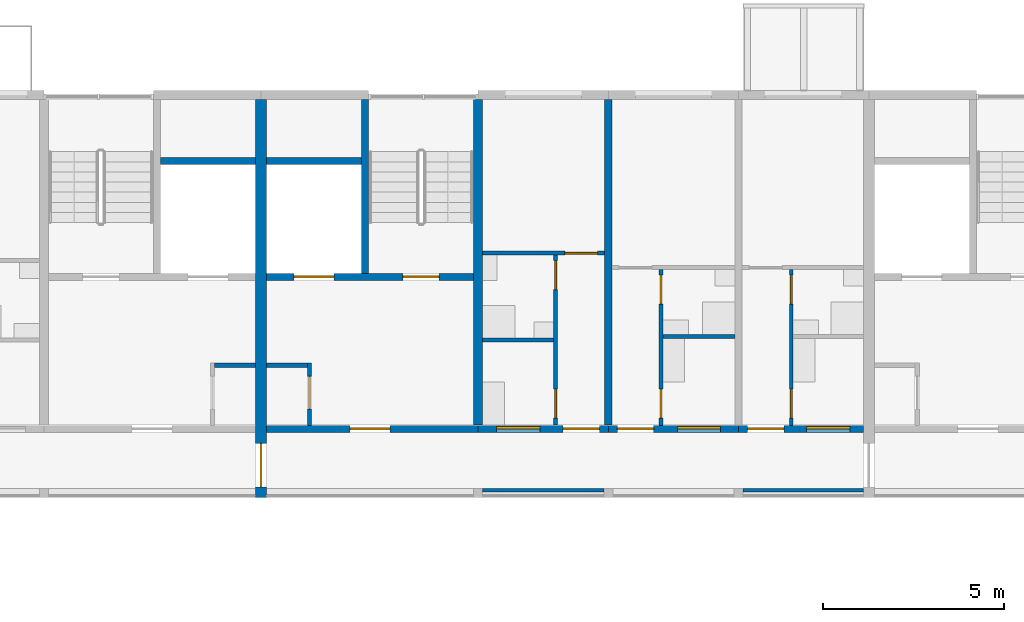
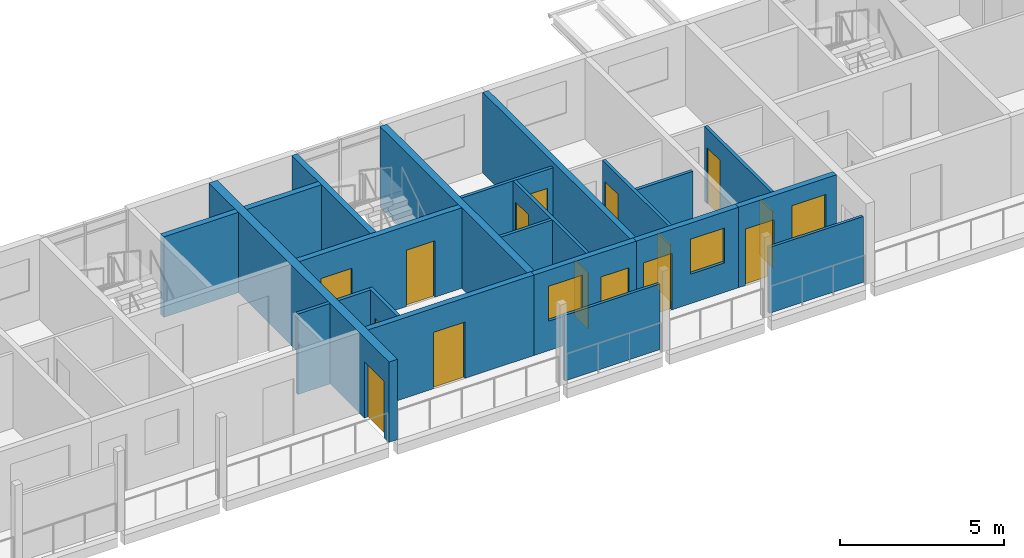
# One storey, part 36 of 100: 22 walls, 15 doors, 3 windows, 18 openings.
"""IFC4 building model written with IfcOpenShell, lengths in metres."""

from ifc_helpers import new_model, si_unit, direction, frame, frame_2d, origin, place, context, subcontext, project, spatial, rectangle, extrude, material, layer, layer_set, type_object, element, fill, save


model = new_model("IFC4")

# Units and contexts
model_context = context("Model", 3, precision=1e-05, world=origin(), true_north=direction((0.0, 1.0)))
body_context = subcontext(model_context, "Body", "Model", "MODEL_VIEW")
ifc_project = project(units=[si_unit("LENGTHUNIT", "METRE"), si_unit("AREAUNIT", "SQUARE_METRE"), si_unit("VOLUMEUNIT", "CUBIC_METRE"), si_unit("PLANEANGLEUNIT", "RADIAN"), si_unit("MASSUNIT", "GRAM", prefix="KILO")], contexts=[model_context])

# Site, building, storey
site_placement = place(None, origin())
site = spatial("IfcSite", under=ifc_project, at=site_placement, CompositionType="ELEMENT")
building_placement = place(site_placement, origin())
building = spatial("IfcBuilding", under=site, at=building_placement, Name="Ridgestep Commons", CompositionType="ELEMENT")
storey_placement = place(building_placement, frame((0.0, 0.0, 9.0)))
storey = spatial("IfcBuildingStorey", under=building, at=storey_placement, Name="L03", CompositionType="ELEMENT", Elevation=9.0)

# Wall
ifc_material_1 = material(Name="Concrete C30/37", Category="concrete")
ifc_layer_1 = layer(ifc_material_1, 0.25)
ifc_layer_set_1 = layer_set([ifc_layer_1], Name="Core cross wall 250")
wall_type_1 = type_object("IfcWallType", Name="Core cross wall 250", PredefinedType="SHEAR", material=ifc_layer_set_1)
wall_1_placement = place(storey_placement, frame((34.800048828125, 68.0, 0.0), z_axis=(0.0, 0.0, 1.0), x_axis=(0.0, 1.0, 0.0)))
element("IfcWall", 1, at=wall_1_placement, inside=storey, type_object=wall_type_1, Name="Cross wall B-03-0348", PredefinedType="SHEAR", context=body_context, shape_type="SweptSolid", body=[
    extrude(rectangle(XDim=9.0, YDim=0.25, at=frame_2d((4.5, 0.0))), origin(), (0.0, 0.0, 1.0), 3.0),
])

# Wall, opening, door
ifc_material_2 = material(Name="Concrete C30/37", Category="concrete")
ifc_layer_2 = layer(ifc_material_2, 0.199951171875)
ifc_layer_set_2 = layer_set([ifc_layer_2], Name="Core south wall 200")
wall_type_2 = type_object("IfcWallType", Name="Core south wall 200", PredefinedType="SHEAR", material=ifc_layer_set_2)
wall_2_placement = place(storey_placement, frame((28.949951171875, 67.89990234375, 0.0), z_axis=(0.0, 0.0, 1.0), x_axis=(1.0, 0.0, 0.0)))
wall_2 = element("IfcWall", 2, at=wall_2_placement, inside=storey, type_object=wall_type_2, Name="Core south wall B2C L03", PredefinedType="SHEAR", context=body_context, shape_type="SweptSolid", body=[
    extrude(rectangle(XDim=5.85009765625, YDim=0.199951171875, at=frame_2d((2.925048828125, 0.0))), origin(), (0.0, 0.0, 1.0), 3.0),
])
opening_1_placement = place(wall_2_placement, frame((2.3125, 0.0, 0.0)))
opening_1 = element("IfcOpeningElement", 3, at=opening_1_placement, cuts=wall_2, Name="Opening B2C/03/1", PredefinedType="OPENING", context=body_context, shape_type="SweptSolid", body=[
    extrude(rectangle(XDim=1.10009765625, YDim=2.10009765625, at=frame_2d((0.550048828125, 1.050048828125))), frame((0.0, 0.10986328125, 0.0), z_axis=(0.0, -1.0, 0.0), x_axis=(1.0, 0.0, 0.0)), (0.0, 0.0, 1.0), 0.219970703125),
])
ifc_material_3 = material(Name="Steel fire door", Category="steel")
door_type_1 = type_object("IfcDoorType", Name="Lobby door 1100 x 2100 FD60", OperationType="NOTDEFINED", PredefinedType="DOOR", material=ifc_material_3)
door_1_placement = place(opening_1_placement, origin())
door_1 = element("IfcDoor", 4, at=door_1_placement, inside=storey, type_object=door_type_1, Name="Lobby door B2C/03/1", OperationType="SINGLE_SWING_LEFT", OverallHeight=2.10009765625, OverallWidth=1.10009765625, PredefinedType="DOOR", context=body_context, shape_type="SweptSolid", body=[
    extrude(rectangle(XDim=1.10009765625, YDim=2.10009765625, at=frame_2d((0.550048828125, 1.050048828125))), frame((0.0, 0.02490234375, 0.0), z_axis=(0.0, -1.0, 0.0), x_axis=(1.0, 0.0, 0.0)), (0.0, 0.0, 1.0), 0.050048828125),
])
fill(opening_1, door_1)

# Wall
ifc_material_4 = material(Name="Concrete C30/37", Category="concrete")
ifc_layer_3 = layer(ifc_material_4, 0.1201171875)
ifc_layer_set_3 = layer_set([ifc_layer_3], Name="Core wall 120")
wall_type_3 = type_object("IfcWallType", Name="Core wall 120", PredefinedType="SHEAR", material=ifc_layer_set_3)
wall_3_placement = place(storey_placement, frame((27.52001953125, 69.659912109375, 0.0), z_axis=(0.0, 0.0, 1.0), x_axis=(1.0, 0.0, 0.0)))
element("IfcWall", 5, at=wall_3_placement, inside=storey, type_object=wall_type_3, Name="Core riser n wall B1C L03", PredefinedType="SHEAR", context=body_context, shape_type="SweptSolid", body=[
    extrude(rectangle(XDim=1.1298828125, YDim=0.1201171875, at=frame_2d((0.56494140625, 0.0))), origin(), (0.0, 0.0, 1.0), 3.0),
])

# Wall, opening, door
wall_4_placement = place(storey_placement, frame((30.139892578125, 68.0, 0.0), z_axis=(0.0, 0.0, 1.0), x_axis=(0.0, 1.0, 0.0)))
wall_4 = element("IfcWall", 6, at=wall_4_placement, inside=storey, type_object=wall_type_3, Name="Core riser w wall B2C L03", PredefinedType="SHEAR", context=body_context, shape_type="SweptSolid", body=[
    extrude(rectangle(XDim=1.719970703125, YDim=0.1201171875, at=frame_2d((0.85986328125, 0.0))), origin(), (0.0, 0.0, 1.0), 3.0),
])
opening_2_placement = place(wall_4_placement, frame((0.449951171875, 0.0, 0.0)))
opening_2 = element("IfcOpeningElement", 7, at=opening_2_placement, cuts=wall_4, Name="Opening B2C/03/4", PredefinedType="OPENING", context=body_context, shape_type="SweptSolid", body=[
    extrude(rectangle(XDim=0.89990234375, YDim=2.10009765625, at=frame_2d((0.449951171875, 1.050048828125))), frame((0.0, 0.070068359375, 0.0), z_axis=(0.0, -1.0, 0.0), x_axis=(1.0, 0.0, 0.0)), (0.0, 0.0, 1.0), 0.14013671875),
])
ifc_material_5 = material(Name="Steel fire door", Category="steel")
door_type_2 = type_object("IfcDoorType", Name="Riser door 900 x 2100 FD60", OperationType="NOTDEFINED", PredefinedType="DOOR", material=ifc_material_5)
door_2_placement = place(opening_2_placement, origin())
door_2 = element("IfcDoor", 8, at=door_2_placement, inside=storey, type_object=door_type_2, Name="Riser door B2C/03/4", OperationType="SINGLE_SWING_RIGHT", OverallHeight=2.10009765625, OverallWidth=0.89990234375, PredefinedType="DOOR", context=body_context, shape_type="SweptSolid", body=[
    extrude(rectangle(XDim=0.89990234375, YDim=2.10009765625, at=frame_2d((0.449951171875, 1.050048828125))), frame((0.0, 0.02490234375, 0.0), z_axis=(0.0, -1.0, 0.0), x_axis=(1.0, 0.0, 0.0)), (0.0, 0.0, 1.0), 0.050048828125),
])
fill(opening_2, door_2)

# Walls
wall_5_placement = place(storey_placement, frame((28.949951171875, 69.659912109375, 0.0), z_axis=(0.0, 0.0, 1.0), x_axis=(1.0, 0.0, 0.0)))
element("IfcWall", 9, at=wall_5_placement, inside=storey, type_object=wall_type_3, Name="Core riser n wall B2C L03", PredefinedType="SHEAR", context=body_context, shape_type="SweptSolid", body=[
    extrude(rectangle(XDim=1.130126953125, YDim=0.1201171875, at=frame_2d((0.56494140625, 0.0))), origin(), (0.0, 0.0, 1.0), 3.0),
])
ifc_material_6 = material(Name="Concrete C30/37", Category="concrete")
ifc_layer_4 = layer(ifc_material_6, 0.199951171875)
ifc_layer_set_4 = layer_set([ifc_layer_4], Name="Core wall 200")
wall_type_4 = type_object("IfcWallType", Name="Core wall 200", PredefinedType="SHEAR", material=ifc_layer_set_4)
wall_6_placement = place(storey_placement, frame((26.02490234375, 75.300048828125, 0.0), z_axis=(0.0, 0.0, 1.0), x_axis=(1.0, 0.0, 0.0)))
element("IfcWall", 10, at=wall_6_placement, inside=storey, type_object=wall_type_4, Name="Core duct wall B1C L03", PredefinedType="SHEAR", context=body_context, shape_type="SweptSolid", body=[
    extrude(rectangle(XDim=2.625, YDim=0.199951171875, at=frame_2d((1.3125, 0.0))), origin(), (0.0, 0.0, 1.0), 3.0),
])

# Wall, openings, doors
wall_7_placement = place(storey_placement, frame((28.949951171875, 72.10009765625, 0.0), z_axis=(0.0, 0.0, 1.0), x_axis=(1.0, 0.0, 0.0)))
wall_7 = element("IfcWall", 11, at=wall_7_placement, inside=storey, type_object=wall_type_4, Name="Core lobby wall B2C L03", PredefinedType="SHEAR", context=body_context, shape_type="SweptSolid", body=[
    extrude(rectangle(XDim=5.72509765625, YDim=0.199951171875, at=frame_2d((2.862548828125, 0.0))), origin(), (0.0, 0.0, 1.0), 3.0),
])
opening_3_placement = place(wall_7_placement, frame((3.77490234375, 0.0, 0.0)))
opening_3 = element("IfcOpeningElement", 12, at=opening_3_placement, cuts=wall_7, Name="Opening B2C/03/2", PredefinedType="OPENING", context=body_context, shape_type="SweptSolid", body=[
    extrude(rectangle(XDim=1.0, YDim=2.10009765625, at=frame_2d((0.5, 1.050048828125))), frame((0.0, 0.10986328125, 0.0), z_axis=(0.0, -1.0, 0.0), x_axis=(1.0, 0.0, 0.0)), (0.0, 0.0, 1.0), 0.219970703125),
])
opening_4_placement = place(wall_7_placement, frame((0.762451171875, 0.0, 0.0)))
opening_4 = element("IfcOpeningElement", 13, at=opening_4_placement, cuts=wall_7, Name="Opening B2C/03/3", PredefinedType="OPENING", context=body_context, shape_type="SweptSolid", body=[
    extrude(rectangle(XDim=1.10009765625, YDim=2.10009765625, at=frame_2d((0.550048828125, 1.050048828125))), frame((0.0, 0.10986328125, 0.0), z_axis=(0.0, -1.0, 0.0), x_axis=(1.0, 0.0, 0.0)), (0.0, 0.0, 1.0), 0.219970703125),
])
ifc_material_7 = material(Name="Stainless steel", Category="steel")
door_type_3 = type_object("IfcDoorType", Name="Lift landing door 1100 x 2100 FD60", OperationType="DOUBLE_DOOR_SLIDING", PredefinedType="DOOR", material=ifc_material_7)
door_3_placement = place(opening_4_placement, origin())
door_3 = element("IfcDoor", 14, at=door_3_placement, inside=storey, type_object=door_type_3, Name="Landing door LD B2C L03", OperationType="DOUBLE_DOOR_SLIDING", OverallHeight=2.10009765625, OverallWidth=1.10009765625, PredefinedType="DOOR", context=body_context, shape_type="SweptSolid", body=[
    extrude(rectangle(XDim=1.10009765625, YDim=2.10009765625, at=frame_2d((0.550048828125, 1.050048828125))), frame((0.0, 0.02490234375, 0.0), z_axis=(0.0, -1.0, 0.0), x_axis=(1.0, 0.0, 0.0)), (0.0, 0.0, 1.0), 0.050048828125),
])
fill(opening_4, door_3)
ifc_material_8 = material(Name="Steel fire door", Category="steel")
door_type_4 = type_object("IfcDoorType", Name="Stair door 1000 x 2100 FD60", OperationType="NOTDEFINED", PredefinedType="DOOR", material=ifc_material_8)
door_4_placement = place(opening_3_placement, origin())
door_4 = element("IfcDoor", 15, at=door_4_placement, inside=storey, type_object=door_type_4, Name="Stair door B2C/03/2", OperationType="SINGLE_SWING_RIGHT", OverallHeight=2.10009765625, OverallWidth=1.0, PredefinedType="DOOR", context=body_context, shape_type="SweptSolid", body=[
    extrude(rectangle(XDim=1.0, YDim=2.10009765625, at=frame_2d((0.5, 1.050048828125))), frame((0.0, 0.02490234375, 0.0), z_axis=(0.0, -1.0, 0.0), x_axis=(1.0, 0.0, 0.0)), (0.0, 0.0, 1.0), 0.050048828125),
])
fill(opening_3, door_4)

# Walls
wall_8_placement = place(storey_placement, frame((31.675048828125, 72.199951171875, 0.0), z_axis=(0.0, 0.0, 1.0), x_axis=(0.0, 1.0, 0.0)))
element("IfcWall", 16, at=wall_8_placement, inside=storey, type_object=wall_type_4, Name="Core stair wall B2C L03", PredefinedType="SHEAR", context=body_context, shape_type="SweptSolid", body=[
    extrude(rectangle(XDim=4.800048828125, YDim=0.199951171875, at=frame_2d((2.39990234375, 0.0))), origin(), (0.0, 0.0, 1.0), 3.0),
])
wall_9_placement = place(storey_placement, frame((28.949951171875, 75.300048828125, 0.0), z_axis=(0.0, 0.0, 1.0), x_axis=(1.0, 0.0, 0.0)))
element("IfcWall", 17, at=wall_9_placement, inside=storey, type_object=wall_type_4, Name="Core duct wall B2C L03", PredefinedType="SHEAR", context=body_context, shape_type="SweptSolid", body=[
    extrude(rectangle(XDim=2.625, YDim=0.199951171875, at=frame_2d((1.3125, 0.0))), origin(), (0.0, 0.0, 1.0), 3.0),
])
ifc_material_9 = material(Name="Precast concrete C40/50", Category="concrete")
ifc_layer_5 = layer(ifc_material_9, 0.199951171875)
ifc_layer_set_5 = layer_set([ifc_layer_5], Name="Cross wall 200")
wall_type_5 = type_object("IfcWallType", Name="Cross wall 200", PredefinedType="SHEAR", material=ifc_layer_set_5)
wall_10_placement = place(storey_placement, frame((38.39990234375, 68.0, 0.0), z_axis=(0.0, 0.0, 1.0), x_axis=(0.0, 1.0, 0.0)))
element("IfcWall", 18, at=wall_10_placement, inside=storey, type_object=wall_type_5, Name="Cross wall B-03-0384", PredefinedType="SHEAR", context=body_context, shape_type="SweptSolid", body=[
    extrude(rectangle(XDim=9.0, YDim=0.199951171875, at=frame_2d((4.5, 0.0))), origin(), (0.0, 0.0, 1.0), 3.0),
])

# Wall, opening, door
ifc_material_10 = material(Name="Precast concrete C40/50", Category="concrete")
ifc_layer_6 = layer(ifc_material_10, 0.300048828125)
ifc_layer_set_6 = layer_set([ifc_layer_6], Name="Division wall 300")
wall_type_6 = type_object("IfcWallType", Name="Division wall 300", PredefinedType="SHEAR", material=ifc_layer_set_6)
wall_11_placement = place(storey_placement, frame((28.800048828125, 66.0, 0.0), z_axis=(0.0, 0.0, 1.0), x_axis=(0.0, 1.0, 0.0)))
wall_11 = element("IfcWall", 19, at=wall_11_placement, inside=storey, type_object=wall_type_6, Name="Cross wall B-03-0288", PredefinedType="SHEAR", context=body_context, shape_type="SweptSolid", body=[
    extrude(rectangle(XDim=11.0, YDim=0.300048828125, at=frame_2d((5.5, 0.0))), origin(), (0.0, 0.0, 1.0), 3.0),
])
opening_5_placement = place(wall_11_placement, frame((0.300048828125, 0.0, 0.0)))
opening_5 = element("IfcOpeningElement", 20, at=opening_5_placement, cuts=wall_11, Name="Opening B/03/G0288", PredefinedType="OPENING", context=body_context, shape_type="SweptSolid", body=[
    extrude(rectangle(XDim=1.199951171875, YDim=2.10009765625, at=frame_2d((0.60009765625, 1.050048828125))), frame((0.0, 0.159912109375, 0.0), z_axis=(0.0, -1.0, 0.0), x_axis=(1.0, 0.0, 0.0)), (0.0, 0.0, 1.0), 0.320068359375),
])
ifc_material_11 = material(Name="Steel fire door", Category="steel")
door_type_5 = type_object("IfcDoorType", Name="Division fire door 1200 x 2100 EI 240", OperationType="DOUBLE_DOOR_SINGLE_SWING", PredefinedType="DOOR", material=ifc_material_11)
door_5_placement = place(opening_5_placement, origin())
door_5 = element("IfcDoor", 21, at=door_5_placement, inside=storey, type_object=door_type_5, Name="Division fire door B/03/G0288", OperationType="DOUBLE_DOOR_SINGLE_SWING", OverallHeight=2.10009765625, OverallWidth=1.199951171875, PredefinedType="DOOR", context=body_context, shape_type="SweptSolid", body=[
    extrude(rectangle(XDim=1.199951171875, YDim=2.10009765625, at=frame_2d((0.60009765625, 1.050048828125))), frame((0.0, 0.02490234375, 0.0), z_axis=(0.0, -1.0, 0.0), x_axis=(1.0, 0.0, 0.0)), (0.0, 0.0, 1.0), 0.050048828125),
])
fill(opening_5, door_5)

# Wall, openings, doors
ifc_material_12 = material(Name="Common brick 110 mm", Category="masonry")
ifc_layer_7 = layer(ifc_material_12, 0.110107421875)
ifc_layer_set_7 = layer_set([ifc_layer_7], Name="Partition 110")
wall_type_7 = type_object("IfcWallType", Name="Partition 110", PredefinedType="PARTITIONING", material=ifc_layer_set_7)
wall_12_placement = place(storey_placement, frame((43.455078125, 68.0, 0.0), z_axis=(0.0, 0.0, 1.0), x_axis=(0.0, 1.0, 0.0)))
wall_12 = element("IfcWall", 22, at=wall_12_placement, inside=storey, type_object=wall_type_7, Name="Partition B2-03a", PredefinedType="PARTITIONING", context=body_context, shape_type="SweptSolid", body=[
    extrude(rectangle(XDim=4.300048828125, YDim=0.110107421875, at=frame_2d((2.14990234375, 0.0))), origin(), (0.0, 0.0, 1.0), 2.800048828125),
])
opening_6_placement = place(wall_12_placement, frame((0.199951171875, 0.0, 0.0)))
opening_6 = element("IfcOpeningElement", 23, at=opening_6_placement, cuts=wall_12, Name="Opening B2-03a/2", PredefinedType="OPENING", context=body_context, shape_type="SweptSolid", body=[
    extrude(rectangle(XDim=0.800048828125, YDim=2.10009765625, at=frame_2d((0.39990234375, 1.050048828125))), frame((0.0, 0.06494140625, 0.0), z_axis=(0.0, -1.0, 0.0), x_axis=(1.0, 0.0, 0.0)), (0.0, 0.0, 1.0), 0.130126953125),
])
opening_7_placement = place(wall_12_placement, frame((3.35009765625, 0.0, 0.0)))
opening_7 = element("IfcOpeningElement", 24, at=opening_7_placement, cuts=wall_12, Name="Opening B2-03a/3", PredefinedType="OPENING", context=body_context, shape_type="SweptSolid", body=[
    extrude(rectangle(XDim=0.800048828125, YDim=2.10009765625, at=frame_2d((0.39990234375, 1.050048828125))), frame((0.0, 0.06494140625, 0.0), z_axis=(0.0, -1.0, 0.0), x_axis=(1.0, 0.0, 0.0)), (0.0, 0.0, 1.0), 0.130126953125),
])
ifc_material_13 = material(Name="Timber door leaf", Category="wood")
door_type_6 = type_object("IfcDoorType", Name="Internal door 800 x 2100", OperationType="NOTDEFINED", PredefinedType="DOOR", material=ifc_material_13)
door_6_placement = place(opening_6_placement, origin())
door_6 = element("IfcDoor", 25, at=door_6_placement, inside=storey, type_object=door_type_6, Name="Internal door B2-03a/2", OperationType="SINGLE_SWING_RIGHT", OverallHeight=2.10009765625, OverallWidth=0.800048828125, PredefinedType="DOOR", context=body_context, shape_type="SweptSolid", body=[
    extrude(rectangle(XDim=0.800048828125, YDim=2.10009765625, at=frame_2d((0.39990234375, 1.050048828125))), frame((0.0, 0.02490234375, 0.0), z_axis=(0.0, -1.0, 0.0), x_axis=(1.0, 0.0, 0.0)), (0.0, 0.0, 1.0), 0.050048828125),
])
fill(opening_6, door_6)
door_7_placement = place(opening_7_placement, origin())
door_7 = element("IfcDoor", 26, at=door_7_placement, inside=storey, type_object=door_type_6, Name="Internal door B2-03a/3", OperationType="SINGLE_SWING_LEFT", OverallHeight=2.10009765625, OverallWidth=0.800048828125, PredefinedType="DOOR", context=body_context, shape_type="SweptSolid", body=[
    extrude(rectangle(XDim=0.800048828125, YDim=2.10009765625, at=frame_2d((0.39990234375, 1.050048828125))), frame((0.0, 0.02490234375, 0.0), z_axis=(0.0, -1.0, 0.0), x_axis=(1.0, 0.0, 0.0)), (0.0, 0.0, 1.0), 0.050048828125),
])
fill(opening_7, door_7)

wall_13_placement = place(storey_placement, frame((39.85498046875, 68.0, 0.0), z_axis=(0.0, 0.0, 1.0), x_axis=(0.0, 1.0, 0.0)))
wall_13 = element("IfcWall", 27, at=wall_13_placement, inside=storey, type_object=wall_type_7, Name="Partition B2-03b", PredefinedType="PARTITIONING", context=body_context, shape_type="SweptSolid", body=[
    extrude(rectangle(XDim=4.300048828125, YDim=0.110107421875, at=frame_2d((2.14990234375, 0.0))), origin(), (0.0, 0.0, 1.0), 2.800048828125),
])
opening_8_placement = place(wall_13_placement, frame((0.199951171875, 0.0, 0.0)))
opening_8 = element("IfcOpeningElement", 28, at=opening_8_placement, cuts=wall_13, Name="Opening B2-03b/2", PredefinedType="OPENING", context=body_context, shape_type="SweptSolid", body=[
    extrude(rectangle(XDim=0.800048828125, YDim=2.10009765625, at=frame_2d((0.39990234375, 1.050048828125))), frame((0.0, 0.06494140625, 0.0), z_axis=(0.0, -1.0, 0.0), x_axis=(1.0, 0.0, 0.0)), (0.0, 0.0, 1.0), 0.130126953125),
])
opening_9_placement = place(wall_13_placement, frame((3.35009765625, 0.0, 0.0)))
opening_9 = element("IfcOpeningElement", 29, at=opening_9_placement, cuts=wall_13, Name="Opening B2-03b/3", PredefinedType="OPENING", context=body_context, shape_type="SweptSolid", body=[
    extrude(rectangle(XDim=0.800048828125, YDim=2.10009765625, at=frame_2d((0.39990234375, 1.050048828125))), frame((0.0, 0.06494140625, 0.0), z_axis=(0.0, -1.0, 0.0), x_axis=(1.0, 0.0, 0.0)), (0.0, 0.0, 1.0), 0.130126953125),
])
door_8_placement = place(opening_8_placement, origin())
door_8 = element("IfcDoor", 30, at=door_8_placement, inside=storey, type_object=door_type_6, Name="Internal door B2-03b/2", OperationType="SINGLE_SWING_RIGHT", OverallHeight=2.10009765625, OverallWidth=0.800048828125, PredefinedType="DOOR", context=body_context, shape_type="SweptSolid", body=[
    extrude(rectangle(XDim=0.800048828125, YDim=2.10009765625, at=frame_2d((0.39990234375, 1.050048828125))), frame((0.0, 0.02490234375, 0.0), z_axis=(0.0, -1.0, 0.0), x_axis=(1.0, 0.0, 0.0)), (0.0, 0.0, 1.0), 0.050048828125),
])
fill(opening_8, door_8)
door_9_placement = place(opening_9_placement, origin())
door_9 = element("IfcDoor", 31, at=door_9_placement, inside=storey, type_object=door_type_6, Name="Internal door B2-03b/3", OperationType="SINGLE_SWING_LEFT", OverallHeight=2.10009765625, OverallWidth=0.800048828125, PredefinedType="DOOR", context=body_context, shape_type="SweptSolid", body=[
    extrude(rectangle(XDim=0.800048828125, YDim=2.10009765625, at=frame_2d((0.39990234375, 1.050048828125))), frame((0.0, 0.02490234375, 0.0), z_axis=(0.0, -1.0, 0.0), x_axis=(1.0, 0.0, 0.0)), (0.0, 0.0, 1.0), 0.050048828125),
])
fill(opening_9, door_9)

# Walls
wall_14_placement = place(storey_placement, frame((39.909912109375, 70.455078125, 0.0), z_axis=(0.0, 0.0, 1.0), x_axis=(1.0, 0.0, 0.0)))
element("IfcWall", 32, at=wall_14_placement, inside=storey, type_object=wall_type_7, Name="Partition B2-03b", PredefinedType="PARTITIONING", context=body_context, shape_type="SweptSolid", body=[
    extrude(rectangle(XDim=1.989990234375, YDim=0.110107421875, at=frame_2d((0.9951171875, 0.0))), origin(), (0.0, 0.0, 1.0), 2.800048828125),
])
wall_15_placement = place(storey_placement, frame((34.925048828125, 70.35498046875, 0.0), z_axis=(0.0, 0.0, 1.0), x_axis=(1.0, 0.0, 0.0)))
element("IfcWall", 33, at=wall_15_placement, inside=storey, type_object=wall_type_7, Name="Partition B2-03c", PredefinedType="PARTITIONING", context=body_context, shape_type="SweptSolid", body=[
    extrude(rectangle(XDim=1.96484375, YDim=0.110107421875, at=frame_2d((0.982421875, 0.0))), origin(), (0.0, 0.0, 1.0), 2.800048828125),
])

# Wall, openings, doors
wall_16_placement = place(storey_placement, frame((36.945068359375, 68.0, 0.0), z_axis=(0.0, 0.0, 1.0), x_axis=(0.0, 1.0, 0.0)))
wall_16 = element("IfcWall", 34, at=wall_16_placement, inside=storey, type_object=wall_type_7, Name="Partition B2-03c", PredefinedType="PARTITIONING", context=body_context, shape_type="SweptSolid", body=[
    extrude(rectangle(XDim=4.699951171875, YDim=0.110107421875, at=frame_2d((2.35009765625, 0.0))), origin(), (0.0, 0.0, 1.0), 2.800048828125),
])
opening_10_placement = place(wall_16_placement, frame((0.199951171875, 0.0, 0.0)))
opening_10 = element("IfcOpeningElement", 35, at=opening_10_placement, cuts=wall_16, Name="Opening B2-03c/2", PredefinedType="OPENING", context=body_context, shape_type="SweptSolid", body=[
    extrude(rectangle(XDim=0.800048828125, YDim=2.10009765625, at=frame_2d((0.39990234375, 1.050048828125))), frame((0.0, 0.06494140625, 0.0), z_axis=(0.0, -1.0, 0.0), x_axis=(1.0, 0.0, 0.0)), (0.0, 0.0, 1.0), 0.130126953125),
])
opening_11_placement = place(wall_16_placement, frame((3.75, 0.0, 0.0)))
opening_11 = element("IfcOpeningElement", 36, at=opening_11_placement, cuts=wall_16, Name="Opening B2-03c/3", PredefinedType="OPENING", context=body_context, shape_type="SweptSolid", body=[
    extrude(rectangle(XDim=0.800048828125, YDim=2.10009765625, at=frame_2d((0.39990234375, 1.050048828125))), frame((0.0, 0.06494140625, 0.0), z_axis=(0.0, -1.0, 0.0), x_axis=(1.0, 0.0, 0.0)), (0.0, 0.0, 1.0), 0.130126953125),
])
door_10_placement = place(opening_10_placement, origin())
door_10 = element("IfcDoor", 37, at=door_10_placement, inside=storey, type_object=door_type_6, Name="Internal door B2-03c/2", OperationType="SINGLE_SWING_LEFT", OverallHeight=2.10009765625, OverallWidth=0.800048828125, PredefinedType="DOOR", context=body_context, shape_type="SweptSolid", body=[
    extrude(rectangle(XDim=0.800048828125, YDim=2.10009765625, at=frame_2d((0.39990234375, 1.050048828125))), frame((0.0, 0.02490234375, 0.0), z_axis=(0.0, -1.0, 0.0), x_axis=(1.0, 0.0, 0.0)), (0.0, 0.0, 1.0), 0.050048828125),
])
fill(opening_10, door_10)
door_11_placement = place(opening_11_placement, origin())
door_11 = element("IfcDoor", 38, at=door_11_placement, inside=storey, type_object=door_type_6, Name="Internal door B2-03c/3", OperationType="SINGLE_SWING_RIGHT", OverallHeight=2.10009765625, OverallWidth=0.800048828125, PredefinedType="DOOR", context=body_context, shape_type="SweptSolid", body=[
    extrude(rectangle(XDim=0.800048828125, YDim=2.10009765625, at=frame_2d((0.39990234375, 1.050048828125))), frame((0.0, 0.02490234375, 0.0), z_axis=(0.0, -1.0, 0.0), x_axis=(1.0, 0.0, 0.0)), (0.0, 0.0, 1.0), 0.050048828125),
])
fill(opening_11, door_11)

# Wall, opening, door
wall_17_placement = place(storey_placement, frame((34.925048828125, 72.7548828125, 0.0), z_axis=(0.0, 0.0, 1.0), x_axis=(1.0, 0.0, 0.0)))
wall_17 = element("IfcWall", 39, at=wall_17_placement, inside=storey, type_object=wall_type_7, Name="Partition B2-03c", PredefinedType="PARTITIONING", context=body_context, shape_type="SweptSolid", body=[
    extrude(rectangle(XDim=3.375, YDim=0.110107421875, at=frame_2d((1.6875, 0.0))), origin(), (0.0, 0.0, 1.0), 2.800048828125),
])
opening_12_placement = place(wall_17_placement, frame((2.27490234375, 0.0, 0.0)))
opening_12 = element("IfcOpeningElement", 40, at=opening_12_placement, cuts=wall_17, Name="Opening B2-03c/4", PredefinedType="OPENING", context=body_context, shape_type="SweptSolid", body=[
    extrude(rectangle(XDim=0.89990234375, YDim=2.10009765625, at=frame_2d((0.449951171875, 1.050048828125))), frame((0.0, 0.06494140625, 0.0), z_axis=(0.0, -1.0, 0.0), x_axis=(1.0, 0.0, 0.0)), (0.0, 0.0, 1.0), 0.130126953125),
])
ifc_material_14 = material(Name="Timber door leaf", Category="wood")
door_type_7 = type_object("IfcDoorType", Name="Internal door 900 x 2100", OperationType="NOTDEFINED", PredefinedType="DOOR", material=ifc_material_14)
door_12_placement = place(opening_12_placement, origin())
door_12 = element("IfcDoor", 41, at=door_12_placement, inside=storey, type_object=door_type_7, Name="Internal door B2-03c/4", OperationType="SINGLE_SWING_LEFT", OverallHeight=2.10009765625, OverallWidth=0.89990234375, PredefinedType="DOOR", context=body_context, shape_type="SweptSolid", body=[
    extrude(rectangle(XDim=0.89990234375, YDim=2.10009765625, at=frame_2d((0.449951171875, 1.050048828125))), frame((0.0, 0.02490234375, 0.0), z_axis=(0.0, -1.0, 0.0), x_axis=(1.0, 0.0, 0.0)), (0.0, 0.0, 1.0), 0.050048828125),
])
fill(opening_12, door_12)

# Walls
ifc_material_15 = material(Name="Precast concrete C30/37", Category="concrete")
ifc_layer_8 = layer(ifc_material_15, 0.10009765625)
ifc_layer_set_8 = layer_set([ifc_layer_8], Name="Perforated gallery screen 3325 x 2450 x 100")
wall_type_8 = type_object("IfcWallType", Name="Perforated gallery screen 3325 x 2450 x 100", PredefinedType="SOLIDWALL", material=ifc_layer_set_8)
wall_18_placement = place(storey_placement, frame((42.125, 66.199951171875, 0.0), z_axis=(0.0, 0.0, 1.0), x_axis=(1.0, 0.0, 0.0)))
element("IfcWall", 42, at=wall_18_placement, inside=storey, type_object=wall_type_8, Name="Gallery screen B2T1 03", PredefinedType="SOLIDWALL", context=body_context, shape_type="SweptSolid", body=[
    extrude(rectangle(XDim=3.324951171875, YDim=0.10009765625, at=frame_2d((1.66259765625, 0.0))), origin(), (0.0, 0.0, 1.0), 2.449951171875),
])
ifc_material_16 = material(Name="Precast concrete C30/37", Category="concrete")
ifc_layer_9 = layer(ifc_material_16, 0.10009765625)
ifc_layer_set_9 = layer_set([ifc_layer_9], Name="Perforated gallery screen 3350 x 2450 x 100")
wall_type_9 = type_object("IfcWallType", Name="Perforated gallery screen 3350 x 2450 x 100", PredefinedType="SOLIDWALL", material=ifc_layer_set_9)
wall_19_placement = place(storey_placement, frame((34.925048828125, 66.199951171875, 0.0), z_axis=(0.0, 0.0, 1.0), x_axis=(1.0, 0.0, 0.0)))
element("IfcWall", 43, at=wall_19_placement, inside=storey, type_object=wall_type_9, Name="Gallery screen B2T3 03", PredefinedType="SOLIDWALL", context=body_context, shape_type="SweptSolid", body=[
    extrude(rectangle(XDim=3.349853515625, YDim=0.10009765625, at=frame_2d((1.6748046875, 0.0))), origin(), (0.0, 0.0, 1.0), 2.449951171875),
])

# Wall, openings, door, window
ifc_material_17 = material(Name="Precast concrete C40/50", Category="concrete")
ifc_layer_10 = layer(ifc_material_17, 0.199951171875)
ifc_layer_set_10 = layer_set([ifc_layer_10], Name="South facade panel 200")
wall_type_10 = type_object("IfcWallType", Name="South facade panel 200", PredefinedType="SOLIDWALL", material=ifc_layer_set_10)
wall_20_placement = place(storey_placement, frame((34.800048828125, 67.89990234375, 0.0), z_axis=(0.0, 0.0, 1.0), x_axis=(1.0, 0.0, 0.0)))
wall_20 = element("IfcWall", 44, at=wall_20_placement, inside=storey, type_object=wall_type_10, Name="South panel B2T3 L03", PredefinedType="SOLIDWALL", context=body_context, shape_type="SweptSolid", body=[
    extrude(rectangle(XDim=3.599853515625, YDim=0.199951171875, at=frame_2d((1.7998046875, 0.0))), origin(), (0.0, 0.0, 1.0), 3.0),
])
opening_13_placement = place(wall_20_placement, frame((0.507568359375, 0.0, 1.10009765625)))
opening_13 = element("IfcOpeningElement", 45, at=opening_13_placement, cuts=wall_20, Name="Opening W08", PredefinedType="OPENING", context=body_context, shape_type="SweptSolid", body=[
    extrude(rectangle(XDim=1.199951171875, YDim=1.300048828125, at=frame_2d((0.60009765625, 0.64990234375))), frame((0.0, 0.10986328125, 0.0), z_axis=(0.0, -1.0, 0.0), x_axis=(1.0, 0.0, 0.0)), (0.0, 0.0, 1.0), 0.219970703125),
])
opening_14_placement = place(wall_20_placement, frame((2.35009765625, 0.0, 0.0)))
opening_14 = element("IfcOpeningElement", 46, at=opening_14_placement, cuts=wall_20, Name="Opening B2-03c/1", PredefinedType="OPENING", context=body_context, shape_type="SweptSolid", body=[
    extrude(rectangle(XDim=1.0, YDim=2.10009765625, at=frame_2d((0.5, 1.050048828125))), frame((0.0, 0.10986328125, 0.0), z_axis=(0.0, -1.0, 0.0), x_axis=(1.0, 0.0, 0.0)), (0.0, 0.0, 1.0), 0.219970703125),
])
ifc_material_18 = material(Name="Timber door leaf", Category="wood")
door_type_8 = type_object("IfcDoorType", Name="Flat entrance door 1000 x 2100 FD30S", OperationType="NOTDEFINED", PredefinedType="DOOR", material=ifc_material_18)
door_13_placement = place(opening_14_placement, origin())
door_13 = element("IfcDoor", 47, at=door_13_placement, inside=storey, type_object=door_type_8, Name="Flat entrance door B2-03c/1", OperationType="SINGLE_SWING_RIGHT", OverallHeight=2.10009765625, OverallWidth=1.0, PredefinedType="DOOR", context=body_context, shape_type="SweptSolid", body=[
    extrude(rectangle(XDim=1.0, YDim=2.10009765625, at=frame_2d((0.5, 1.050048828125))), frame((0.0, 0.02490234375, 0.0), z_axis=(0.0, -1.0, 0.0), x_axis=(1.0, 0.0, 0.0)), (0.0, 0.0, 1.0), 0.050048828125),
])
fill(opening_14, door_13)
ifc_material_19 = material(Name="Aluminium 6063-T6 and glass", Category="aluminium")
window_type = type_object("IfcWindowType", Name="Flat window 1200 x 1300", PartitioningType="SINGLE_PANEL", PredefinedType="WINDOW", material=ifc_material_19)
window_1_placement = place(opening_13_placement, origin())
window_1 = element("IfcWindow", 48, at=window_1_placement, inside=storey, type_object=window_type, Name="Window B2-03c 1", OverallHeight=1.300048828125, OverallWidth=1.199951171875, PartitioningType="SINGLE_PANEL", PredefinedType="WINDOW", context=body_context, shape_type="SweptSolid", body=[
    extrude(rectangle(XDim=1.199951171875, YDim=1.300048828125, at=frame_2d((0.60009765625, 0.64990234375))), frame((0.0, 0.06005859375, 0.0), z_axis=(0.0, -1.0, 0.0), x_axis=(1.0, 0.0, 0.0)), (0.0, 0.0, 1.0), 0.06005859375),
])
fill(opening_13, window_1)

wall_21_placement = place(storey_placement, frame((38.39990234375, 67.89990234375, 0.0), z_axis=(0.0, 0.0, 1.0), x_axis=(1.0, 0.0, 0.0)))
wall_21 = element("IfcWall", 49, at=wall_21_placement, inside=storey, type_object=wall_type_10, Name="South panel B2T2 L03", PredefinedType="SOLIDWALL", context=body_context, shape_type="SweptSolid", body=[
    extrude(rectangle(XDim=3.60009765625, YDim=0.199951171875, at=frame_2d((1.800048828125, 0.0))), origin(), (0.0, 0.0, 1.0), 3.0),
])
opening_15_placement = place(wall_21_placement, frame((1.905029296875, 0.0, 1.10009765625)))
opening_15 = element("IfcOpeningElement", 50, at=opening_15_placement, cuts=wall_21, Name="Opening W08", PredefinedType="OPENING", context=body_context, shape_type="SweptSolid", body=[
    extrude(rectangle(XDim=1.199951171875, YDim=1.300048828125, at=frame_2d((0.60009765625, 0.64990234375))), frame((0.0, 0.10986328125, 0.0), z_axis=(0.0, -1.0, 0.0), x_axis=(1.0, 0.0, 0.0)), (0.0, 0.0, 1.0), 0.219970703125),
])
opening_16_placement = place(wall_21_placement, frame((0.25, 0.0, 0.0)))
opening_16 = element("IfcOpeningElement", 51, at=opening_16_placement, cuts=wall_21, Name="Opening B2-03b/1", PredefinedType="OPENING", context=body_context, shape_type="SweptSolid", body=[
    extrude(rectangle(XDim=1.0, YDim=2.10009765625, at=frame_2d((0.5, 1.050048828125))), frame((0.0, 0.10986328125, 0.0), z_axis=(0.0, -1.0, 0.0), x_axis=(1.0, 0.0, 0.0)), (0.0, 0.0, 1.0), 0.219970703125),
])
door_14_placement = place(opening_16_placement, origin())
door_14 = element("IfcDoor", 52, at=door_14_placement, inside=storey, type_object=door_type_8, Name="Flat entrance door B2-03b/1", OperationType="SINGLE_SWING_LEFT", OverallHeight=2.10009765625, OverallWidth=1.0, PredefinedType="DOOR", context=body_context, shape_type="SweptSolid", body=[
    extrude(rectangle(XDim=1.0, YDim=2.10009765625, at=frame_2d((0.5, 1.050048828125))), frame((0.0, 0.02490234375, 0.0), z_axis=(0.0, -1.0, 0.0), x_axis=(1.0, 0.0, 0.0)), (0.0, 0.0, 1.0), 0.050048828125),
])
fill(opening_16, door_14)
window_2_placement = place(opening_15_placement, origin())
window_2 = element("IfcWindow", 53, at=window_2_placement, inside=storey, type_object=window_type, Name="Window B2-03b 1", OverallHeight=1.300048828125, OverallWidth=1.199951171875, PartitioningType="SINGLE_PANEL", PredefinedType="WINDOW", context=body_context, shape_type="SweptSolid", body=[
    extrude(rectangle(XDim=1.199951171875, YDim=1.300048828125, at=frame_2d((0.60009765625, 0.64990234375))), frame((0.0, 0.06005859375, 0.0), z_axis=(0.0, -1.0, 0.0), x_axis=(1.0, 0.0, 0.0)), (0.0, 0.0, 1.0), 0.06005859375),
])
fill(opening_15, window_2)

wall_22_placement = place(storey_placement, frame((42.0, 67.89990234375, 0.0), z_axis=(0.0, 0.0, 1.0), x_axis=(1.0, 0.0, 0.0)))
wall_22 = element("IfcWall", 54, at=wall_22_placement, inside=storey, type_object=wall_type_10, Name="South panel B2T1 L03", PredefinedType="SOLIDWALL", context=body_context, shape_type="SweptSolid", body=[
    extrude(rectangle(XDim=3.449951171875, YDim=0.199951171875, at=frame_2d((1.72509765625, 0.0))), origin(), (0.0, 0.0, 1.0), 3.0),
])
opening_17_placement = place(wall_22_placement, frame((1.8798828125, 0.0, 1.10009765625)))
opening_17 = element("IfcOpeningElement", 55, at=opening_17_placement, cuts=wall_22, Name="Opening W08", PredefinedType="OPENING", context=body_context, shape_type="SweptSolid", body=[
    extrude(rectangle(XDim=1.199951171875, YDim=1.300048828125, at=frame_2d((0.60009765625, 0.64990234375))), frame((0.0, 0.10986328125, 0.0), z_axis=(0.0, -1.0, 0.0), x_axis=(1.0, 0.0, 0.0)), (0.0, 0.0, 1.0), 0.219970703125),
])
opening_18_placement = place(wall_22_placement, frame((0.25, 0.0, 0.0)))
opening_18 = element("IfcOpeningElement", 56, at=opening_18_placement, cuts=wall_22, Name="Opening B2-03a/1", PredefinedType="OPENING", context=body_context, shape_type="SweptSolid", body=[
    extrude(rectangle(XDim=1.0, YDim=2.10009765625, at=frame_2d((0.5, 1.050048828125))), frame((0.0, 0.10986328125, 0.0), z_axis=(0.0, -1.0, 0.0), x_axis=(1.0, 0.0, 0.0)), (0.0, 0.0, 1.0), 0.219970703125),
])
door_15_placement = place(opening_18_placement, origin())
door_15 = element("IfcDoor", 57, at=door_15_placement, inside=storey, type_object=door_type_8, Name="Flat entrance door B2-03a/1", OperationType="SINGLE_SWING_LEFT", OverallHeight=2.10009765625, OverallWidth=1.0, PredefinedType="DOOR", context=body_context, shape_type="SweptSolid", body=[
    extrude(rectangle(XDim=1.0, YDim=2.10009765625, at=frame_2d((0.5, 1.050048828125))), frame((0.0, 0.02490234375, 0.0), z_axis=(0.0, -1.0, 0.0), x_axis=(1.0, 0.0, 0.0)), (0.0, 0.0, 1.0), 0.050048828125),
])
fill(opening_18, door_15)
window_3_placement = place(opening_17_placement, origin())
window_3 = element("IfcWindow", 58, at=window_3_placement, inside=storey, type_object=window_type, Name="Window B2-03a 1", OverallHeight=1.300048828125, OverallWidth=1.199951171875, PartitioningType="SINGLE_PANEL", PredefinedType="WINDOW", context=body_context, shape_type="SweptSolid", body=[
    extrude(rectangle(XDim=1.199951171875, YDim=1.300048828125, at=frame_2d((0.60009765625, 0.64990234375))), frame((0.0, 0.06005859375, 0.0), z_axis=(0.0, -1.0, 0.0), x_axis=(1.0, 0.0, 0.0)), (0.0, 0.0, 1.0), 0.06005859375),
])
fill(opening_17, window_3)

save(model, "model.ifc")
